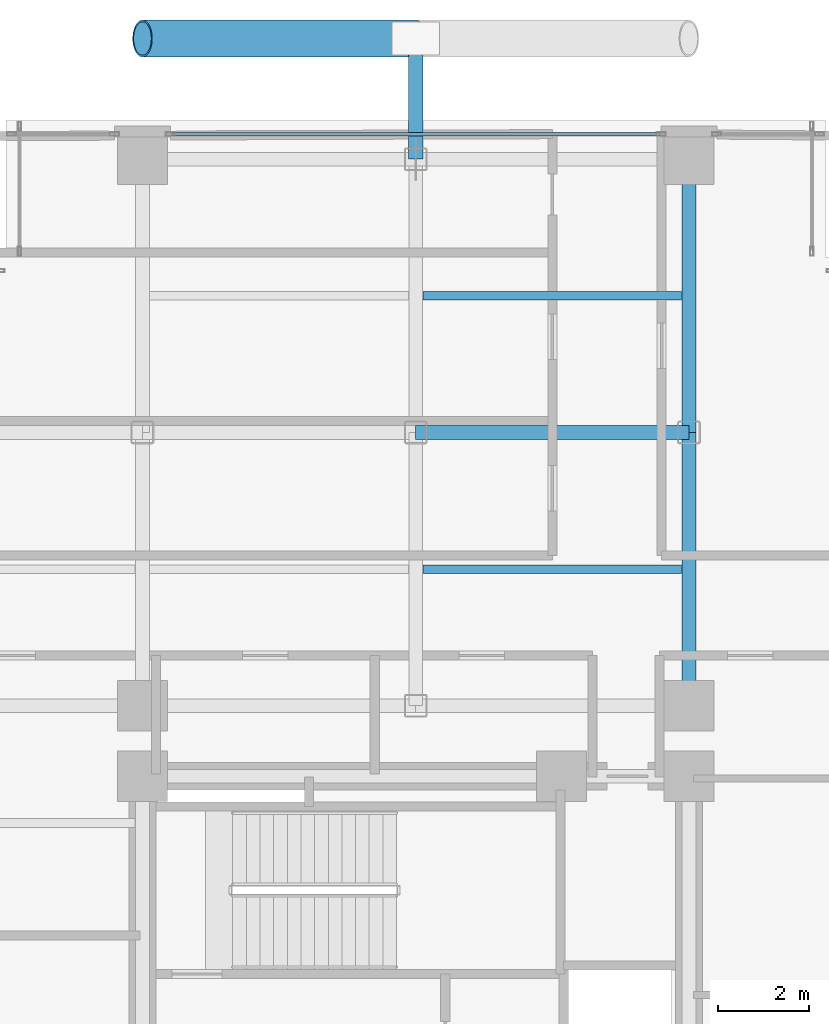
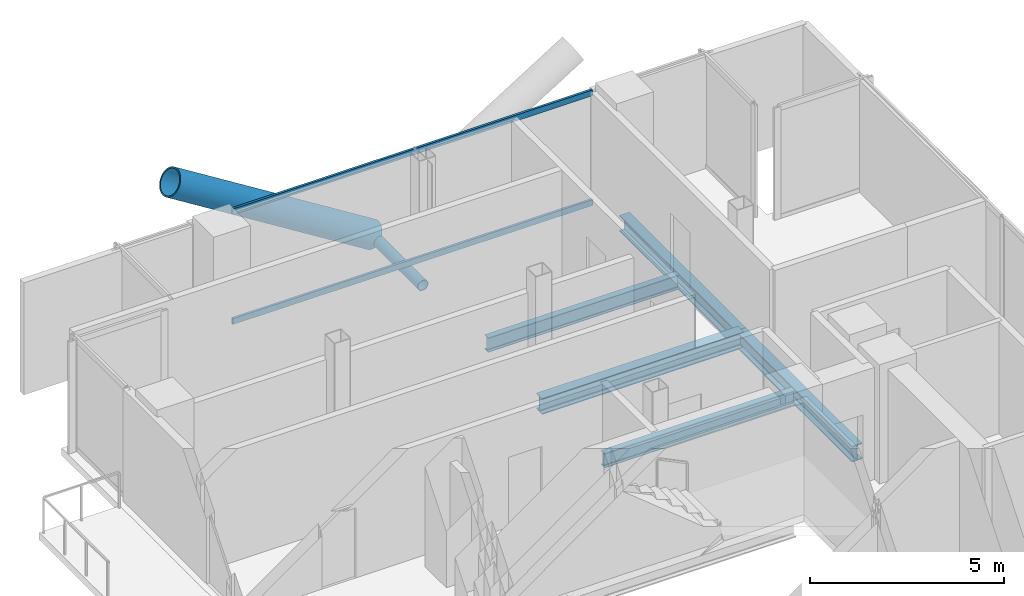
# One storey, part 16 of 28: 5 beams, 4 members, 1 element without a shape of its own.
"""IFC4 building model written with IfcOpenShell, lengths in metres."""

from ifc_helpers import new_model, si_unit, direction, frame, origin, origin_2d, place, context, subcontext, project, spatial, hollow_rectangle, hollow_circle, i_section, extrude, material, layer, layer_set, material_profile, profile_set, type_object, element, aggregate, save


model = new_model("IFC4")

# Units and contexts
model_context = context("Model", 3, precision=1e-05, world=origin(), true_north=direction((0.0, 1.0)))
body_context = subcontext(model_context, "Body", "Model", "MODEL_VIEW")
ifc_project = project(units=[si_unit("LENGTHUNIT", "METRE"), si_unit("AREAUNIT", "SQUARE_METRE"), si_unit("VOLUMEUNIT", "CUBIC_METRE"), si_unit("PLANEANGLEUNIT", "RADIAN"), si_unit("MASSUNIT", "GRAM", prefix="KILO"), si_unit("THERMODYNAMICTEMPERATUREUNIT", "KELVIN"), si_unit("POWERUNIT", "WATT")], contexts=[model_context])

# Site, building, storey
site_placement = place(None, origin())
site = spatial("IfcSite", under=ifc_project, at=site_placement, CompositionType="ELEMENT")
building_placement = place(site_placement, origin())
building = spatial("IfcBuilding", under=site, at=building_placement, Name="Svarakhadi Broadcast Tower", CompositionType="ELEMENT")
storey_placement = place(building_placement, frame((0.0, 0.0, 123.14990234375)))
storey = spatial("IfcBuildingStorey", under=building, at=storey_placement, Name="L29", CompositionType="ELEMENT", Elevation=123.14990234375)

# Beams
ifc_material_1 = material(Name="Steel S355J2 (IS 2062 E350C)", Category="steel")
ifc_material_profile_1 = material_profile(ifc_material_1, i_section(OverallWidth=0.18994140625, OverallDepth=0.449951171875, WebThickness=0.009521484375, FlangeThickness=0.0146484375, FilletRadius=0.02099609375, at=origin_2d()), Name="NPB 450x190x78")
ifc_profile_set_1 = profile_set([ifc_material_profile_1], Name="Steel S355J2 (IS 2062 E350C)")
beam_type_1 = type_object("IfcBeamType", Name="Beam_NPB450", PredefinedType="BEAM", material=ifc_profile_set_1)
for number, where, z_axis, x_axis, name in (
    (1, (12.159912109375, 32.14990234375, -0.449951171875), (1.0, 0.0, 0.0), (0.0, 1.0, 0.0), "L29 Secondary Composite Beam SB014"),
    (2, (12.159912109375, 38.14990234375, -0.449951171875), (1.0, 0.0, 0.0), (0.0, 1.0, 0.0), "L29 Secondary Composite Beam SB015"),
):
    element("IfcBeam", number, at=place(storey_placement, frame(where, z_axis=z_axis, x_axis=x_axis)), inside=storey, type_object=beam_type_1, Name=name, PredefinedType="BEAM", context=body_context, shape_type="SweptSolid", body=[
        extrude(i_section(OverallWidth=0.18994140625, OverallDepth=0.449951171875, WebThickness=0.009521484375, FlangeThickness=0.0146484375, FilletRadius=0.02099609375, at=origin_2d()), origin(), (0.0, 0.0, 1.0), 5.68017578125),
    ])

# Curtain wall, members
ifc_material_2 = material(Name="Anodised Bronze Aluminium AA 6063-T6", Category="aluminium")
ifc_layer = layer(ifc_material_2, 0.199951171875)
ifc_layer_set = layer_set([ifc_layer], Name="Anodised Bronze Aluminium AA 6063-T6")
curtain_wall_type = type_object("IfcCurtainWallType", Name="CW_Sys_03", PredefinedType="NOTDEFINED", material=ifc_layer_set)
curtain_wall_placement = place(storey_placement, origin())
curtain_wall = element("IfcCurtainWall", 3, at=curtain_wall_placement, inside=storey, type_object=curtain_wall_type, Name="L29 Unitised Facade Curtain Wall 06 Bay 2", PredefinedType="NOTDEFINED")
ifc_material_profile_2 = material_profile(ifc_material_2, hollow_rectangle(XDim=0.070068359375, YDim=0.18505859375, WallThickness=0.0048828125, at=origin_2d()), Name="ALU TRANSOM 185x70x5")
ifc_profile_set_2 = profile_set([ifc_material_profile_2], Name="Anodised Bronze Aluminium AA 6063-T6")
member_type_1 = type_object("IfcMemberType", Name="CW_Sys_03_Trn", PredefinedType="USERDEFINED", material=ifc_profile_set_2)
member_1_placement = place(storey_placement, frame((6.64501953125, 41.699951171875, 0.03515625), z_axis=(1.0, 0.0, 0.0), x_axis=(0.0, 1.0, 0.0)))
member_1 = element("IfcMember", 4, at=member_1_placement, type_object=member_type_1, Name="CW-03 transom 1.1", ObjectType="TRANSOM", PredefinedType="USERDEFINED", context=body_context, shape_type="SweptSolid", body=[
    extrude(hollow_rectangle(XDim=0.070068359375, YDim=0.18505859375, WallThickness=0.0048828125, at=origin_2d()), origin(), (0.0, 0.0, 1.0), 10.7099609375),
])
member_2_placement = place(storey_placement, frame((6.64501953125, 41.699951171875, 3.489990234375), z_axis=(1.0, 0.0, 0.0), x_axis=(0.0, 1.0, 0.0)))
member_2 = element("IfcMember", 5, at=member_2_placement, type_object=member_type_1, Name="CW-03 transom 1.2", ObjectType="TRANSOM", PredefinedType="USERDEFINED", context=body_context, shape_type="SweptSolid", body=[
    extrude(hollow_rectangle(XDim=0.070068359375, YDim=0.18505859375, WallThickness=0.0048828125, at=origin_2d()), origin(), (0.0, 0.0, 1.0), 10.7099609375),
])
aggregate(curtain_wall, [member_1, member_2])

# Members
ifc_material_3 = material(Name="Steel S460ML (IS 2062 E450BR)", Category="steel")
ifc_material_profile_3 = material_profile(ifc_material_3, hollow_circle(Radius=0.406494140625, WallThickness=0.0400390625, at=origin_2d()), Name="CHS 813x40")
ifc_profile_set_3 = profile_set([ifc_material_profile_3], Name="Steel S460ML (IS 2062 E450BR)")
member_type_2 = type_object("IfcMemberType", Name="Exo_Brace_CHS813", PredefinedType="BRACE", material=ifc_profile_set_3)
member_3_placement = place(storey_placement, frame((12.0, 43.800048828125, -0.386962890625), z_axis=(-0.847998304005, 0.0, 0.529998940003), x_axis=(0.0, -1.0, 0.0)))
element("IfcMember", 6, at=member_3_placement, inside=storey, type_object=member_type_2, Name="L29 Exposed Bronze Exoskeleton Diagonal N10", PredefinedType="BRACE", context=body_context, shape_type="SweptSolid", body=[
    extrude(hollow_circle(Radius=0.406494140625, WallThickness=0.0400390625, at=origin_2d()), origin(), (0.0, 0.0, 1.0), 7.075439453125),
])
ifc_material_profile_4 = material_profile(ifc_material_3, hollow_circle(Radius=0.161865234375, WallThickness=0.01611328125, at=origin_2d()), Name="CHS 323.9x16")
ifc_profile_set_4 = profile_set([ifc_material_profile_4], Name="Steel S460ML (IS 2062 E450BR)")
member_type_3 = type_object("IfcMemberType", Name="Exo_Radial_Strut_Z2", PredefinedType="STRUT", material=ifc_profile_set_4)
member_4_placement = place(storey_placement, frame((12.0, 43.800048828125, -0.386962890625), z_axis=(0.0, -1.0, 0.0), x_axis=(1.0, 0.0, 0.0)))
element("IfcMember", 7, at=member_4_placement, inside=storey, type_object=member_type_3, Name="L29 Exoskeleton Radial Tie Strut N06", PredefinedType="STRUT", context=body_context, shape_type="SweptSolid", body=[
    extrude(hollow_circle(Radius=0.161865234375, WallThickness=0.01611328125, at=origin_2d()), origin(), (0.0, 0.0, 1.0), 2.650146484375),
])

# Beams
ifc_material_profile_5 = material_profile(ifc_material_1, i_section(OverallWidth=0.300048828125, OverallDepth=0.5, WebThickness=0.014404296875, FlangeThickness=0.028076171875, FilletRadius=0.027099609375, at=origin_2d()), Name="WPB 500x300x187")
ifc_profile_set_5 = profile_set([ifc_material_profile_5], Name="Steel S355J2 (IS 2062 E350C)")
beam_type_2 = type_object("IfcBeamType", Name="Girder_WPB500", PredefinedType="USERDEFINED", material=ifc_profile_set_5)
for number, where, z_axis, x_axis, name in (
    (8, (12.0, 35.14990234375, -0.474853515625), (1.0, 0.0, 0.0), (0.0, 1.0, 0.0), "L29 Primary E-W Girder G037"),
    (9, (18.0, 29.14990234375, -0.474853515625), (0.0, 1.0, 0.0), (-1.0, 0.0, 0.0), "L29 Primary N-S Girder G060"),
    (10, (18.0, 35.14990234375, -0.474853515625), (0.0, 1.0, 0.0), (-1.0, 0.0, 0.0), "L29 Primary N-S Girder G061"),
):
    element("IfcBeam", number, at=place(storey_placement, frame(where, z_axis=z_axis, x_axis=x_axis)), inside=storey, type_object=beam_type_2, Name=name, ObjectType="GIRDER", PredefinedType="USERDEFINED", context=body_context, shape_type="SweptSolid", body=[
        extrude(i_section(OverallWidth=0.300048828125, OverallDepth=0.5, WebThickness=0.014404296875, FlangeThickness=0.028076171875, FilletRadius=0.027099609375, at=origin_2d()), origin(), (0.0, 0.0, 1.0), 6.0),
    ])

save(model, "model.ifc")
